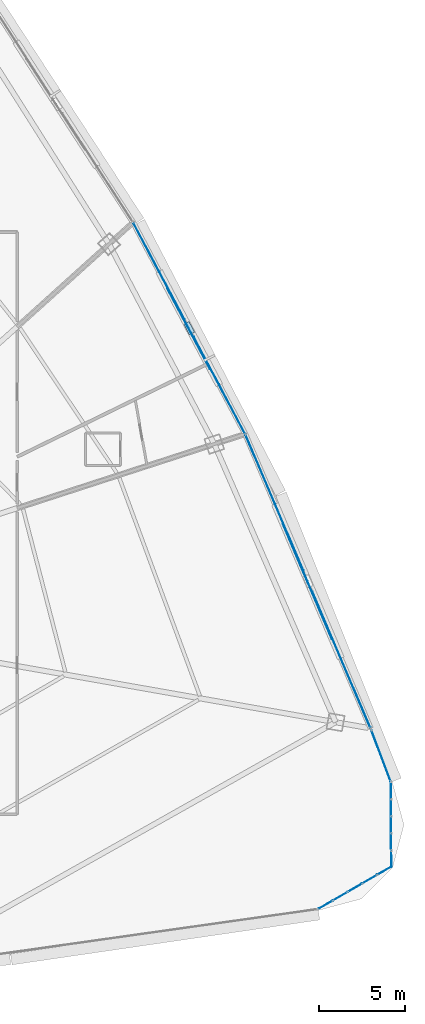
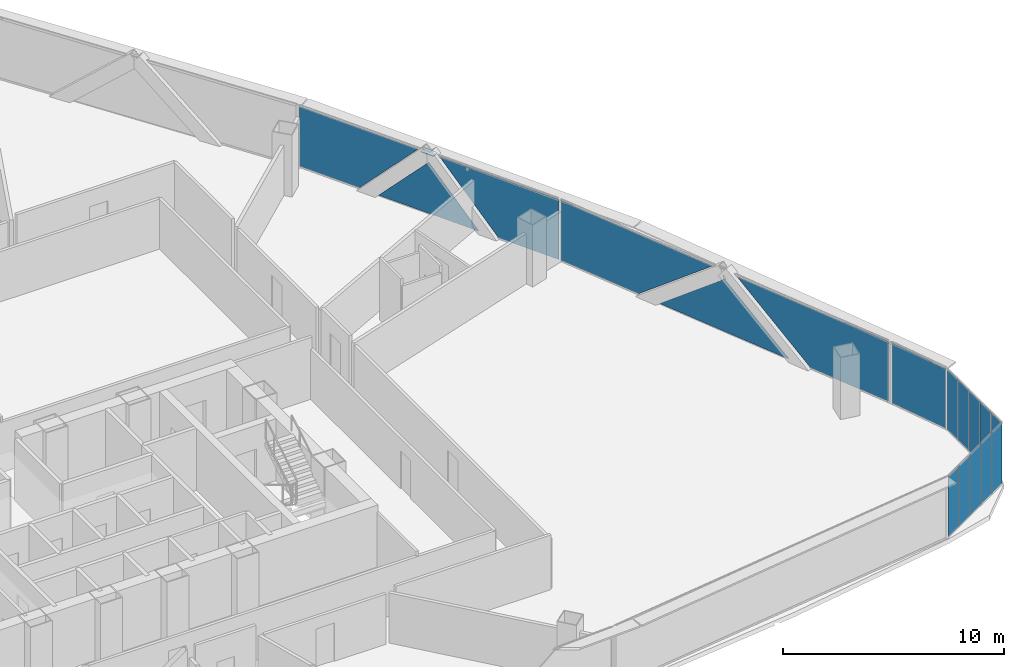
# One storey, part 33 of 42: 18 plates, 5 elements without a shape of their own.
"""IFC4 building model written with IfcOpenShell, lengths in metres."""

from ifc_helpers import new_model, si_unit, direction, frame, origin, origin_2d, place, context, subcontext, project, spatial, polyline, rectangle, outline, extrude, source, transform, mapped, material, layer, layer_set, type_object, element, aggregate, save


model = new_model("IFC4")

# Units and contexts
model_context = context("Model", 3, precision=1e-05, world=origin(), true_north=direction((0.0, 1.0)))
body_context = subcontext(model_context, "Body", "Model", "MODEL_VIEW")
ifc_project = project(units=[si_unit("LENGTHUNIT", "METRE"), si_unit("AREAUNIT", "SQUARE_METRE"), si_unit("VOLUMEUNIT", "CUBIC_METRE"), si_unit("PLANEANGLEUNIT", "RADIAN"), si_unit("MASSUNIT", "GRAM", prefix="KILO"), si_unit("THERMODYNAMICTEMPERATUREUNIT", "KELVIN"), si_unit("POWERUNIT", "WATT")], contexts=[model_context])

# Site, building, storey
site_placement = place(None, origin())
site = spatial("IfcSite", under=ifc_project, at=site_placement, CompositionType="ELEMENT")
building_placement = place(site_placement, origin())
building = spatial("IfcBuilding", under=site, at=building_placement, Name="Yunzhuo Pagoda Commons", CompositionType="ELEMENT")
storey_placement = place(building_placement, frame((0.0, 0.0, 133.510009765625)))
storey = spatial("IfcBuildingStorey", under=building, at=storey_placement, Name="L33", CompositionType="ELEMENT", Elevation=133.510009765625)

# Curtain wall, plates
ifc_material_1 = material(Name="Anodized aluminium 6063-T6", Category="aluminium")
ifc_layer_1 = layer(ifc_material_1, 0.14990234375)
ifc_layer_set_1 = layer_set([ifc_layer_1], Name="Anodized aluminium 6063-T6")
curtain_wall_type_1 = type_object("IfcCurtainWallType", Name="CW-MID Mid-Zone Ribbon Curtain Wall", PredefinedType="NOTDEFINED", material=ifc_layer_set_1)
curtain_wall_1_placement = place(storey_placement, origin())
curtain_wall_1 = element("IfcCurtainWall", 1, at=curtain_wall_1_placement, inside=storey, type_object=curtain_wall_type_1, Name="L33 curtain wall CW-L33-F2B2", PredefinedType="NOTDEFINED")
ifc_material_2 = material(Name="Tempered low-e double glazing", Category="glass")
ifc_layer_2 = layer(ifc_material_2, 0.028076171875)
ifc_layer_set_2 = layer_set([ifc_layer_2], Name="Tempered low-e double glazing")
plate_type_1 = type_object("IfcPlateType", Name="CW-MID-P Low-E Double Glazing 28", PredefinedType="CURTAIN_PANEL", material=ifc_layer_set_2)
plate_1_placement = place(storey_placement, frame((85.325439453125, 30.820068359375, 1.7099609375), z_axis=(0.919928137274, 0.392087008522, 0.0), x_axis=(-0.392087008522, 0.919928137274, 0.0)))
plate_1 = element("IfcPlate", 2, at=plate_1_placement, type_object=plate_type_1, Name="CW panel 1.1 lite 1", PredefinedType="CURTAIN_PANEL", context=body_context, shape_type="SweptSolid", body=[
    extrude(outline(polyline([(-4.300048828125, -1.655029296875), (0.097900390625, -1.655029296875), (4.300048828125, 1.655029296875), (-4.300048828125, 1.655029296875), (-4.300048828125, -1.655029296875)])), origin(), (0.0, 0.0, 1.0), 0.028076171875),
])
plate_2_placement = place(storey_placement, frame((83.34375, 35.393310546875, 1.49560546875), z_axis=(0.919928137274, 0.392087008522, 0.0), x_axis=(-0.392087008522, 0.919928137274, 0.0)))
plate_2 = element("IfcPlate", 3, at=plate_2_placement, type_object=plate_type_1, Name="CW panel 1.1 lite 2", PredefinedType="CURTAIN_PANEL", context=body_context, shape_type="SweptSolid", body=[
    extrude(outline(polyline([(-3.657958984375, -1.440673828125), (3.657958984375, -1.440673828125), (0.0, 1.440673828125), (-3.657958984375, -1.440673828125)])), origin(), (0.0, 0.0, 1.0), 0.028076171875),
])
plate_3_placement = place(storey_placement, frame((81.4169921875, 39.989990234375, 1.7099609375), z_axis=(0.919928137274, 0.392087008522, 0.0), x_axis=(-0.392087008522, 0.919928137274, 0.0)))
plate_3 = element("IfcPlate", 4, at=plate_3_placement, type_object=plate_type_1, Name="CW panel 1.1 lite 3", PredefinedType="CURTAIN_PANEL", context=body_context, shape_type="SweptSolid", body=[
    extrude(outline(polyline([(-4.300048828125, 1.655029296875), (-0.097900390625, -1.655029296875), (4.300048828125, -1.655029296875), (4.300048828125, 1.655029296875), (-4.300048828125, 1.655029296875)])), origin(), (0.0, 0.0, 1.0), 0.028076171875),
])
aggregate(curtain_wall_1, [plate_1, plate_2, plate_3])

curtain_wall_2_placement = place(storey_placement, origin())
curtain_wall_2 = element("IfcCurtainWall", 5, at=curtain_wall_2_placement, inside=storey, type_object=curtain_wall_type_1, Name="L33 curtain wall CW-L33-F2B3", PredefinedType="NOTDEFINED")
plate_4_placement = place(storey_placement, frame((78.192138671875, 46.86181640625, 1.7099609375), z_axis=(0.883694161172, 0.468064770635, 0.0), x_axis=(-0.468064770635, 0.883694161172, 0.0)))
plate_4 = element("IfcPlate", 6, at=plate_4_placement, type_object=plate_type_1, Name="CW panel 1.1 lite 1", PredefinedType="CURTAIN_PANEL", context=body_context, shape_type="SweptSolid", body=[
    extrude(outline(polyline([(-3.178466796875, -1.655029296875), (0.033203125, -1.655029296875), (3.178466796875, 1.655029296875), (-3.178466796875, 1.655029296875), (-3.178466796875, -1.655029296875)])), origin(), (0.0, 0.0, 1.0), 0.028076171875),
])
plate_5_placement = place(storey_placement, frame((76.408203125, 50.166015625, 1.461669921875), z_axis=(0.883694161172, 0.468064770635, 0.0), x_axis=(-0.468064770635, 0.883694161172, 0.0)))
plate_5 = element("IfcPlate", 7, at=plate_5_placement, type_object=plate_type_1, Name="CW panel 1.1 lite 2", PredefinedType="CURTAIN_PANEL", context=body_context, shape_type="SweptSolid", body=[
    extrude(outline(polyline([(-2.673095703125, -1.40673828125), (2.673095703125, -1.40673828125), (0.0, 1.406494140625), (-2.673095703125, -1.40673828125)])), origin(), (0.0, 0.0, 1.0), 0.028076171875),
])
plate_6_placement = place(storey_placement, frame((74.67724609375, 53.498291015625, 1.7099609375), z_axis=(0.883694161172, 0.468064770635, 0.0), x_axis=(-0.468064770635, 0.883694161172, 0.0)))
plate_6 = element("IfcPlate", 8, at=plate_6_placement, type_object=plate_type_1, Name="CW panel 1.1 lite 3", PredefinedType="CURTAIN_PANEL", context=body_context, shape_type="SweptSolid", body=[
    extrude(outline(polyline([(-3.178466796875, 1.655029296875), (-0.033203125, -1.655029296875), (3.178466796875, -1.655029296875), (3.178466796875, 1.655029296875), (-3.178466796875, 1.655029296875)])), origin(), (0.0, 0.0, 1.0), 0.028076171875),
])
aggregate(curtain_wall_2, [plate_4, plate_5, plate_6])

# Plate
ifc_material_3 = material(Name="Structural steel Q355B", Category="steel")
ifc_layer_3 = layer(ifc_material_3, 0.028076171875)
ifc_layer_set_3 = layer_set([ifc_layer_3], Name="Structural steel Q355B")
plate_type_2 = type_object("IfcPlateType", Name="SP-ND1 Lattice Node Cap Plate 800x500x28", PredefinedType="USERDEFINED", material=ifc_layer_set_3)
shared_shape_1 = source(origin(), body_context, "Body", "SweptSolid", [
    extrude(rectangle(XDim=0.699951171875, YDim=0.35009765625, at=origin_2d()), origin(), (0.0, 0.0, 1.0), 0.035888671875),
])
plate_7_placement = place(storey_placement, frame((76.447021484375, 50.1865234375, 3.3818359375), z_axis=(0.0, 0.0, 1.0), x_axis=(-0.468068630068, 0.883692116943, 0.0)))
element("IfcPlate", 9, at=plate_7_placement, inside=storey, type_object=plate_type_2, Name="L33 setback lattice tie plate F2.2L", ObjectType="STIFFENER_PLATE", PredefinedType="USERDEFINED", context=body_context, shape_type="MappedRepresentation", body=[
    mapped(shared_shape_1, transform((0.0, 0.0, 0.0), scale=1.0)),
])

# Curtain wall, plate
curtain_wall_3_placement = place(storey_placement, origin())
curtain_wall_3 = element("IfcCurtainWall", 10, at=curtain_wall_3_placement, inside=storey, type_object=curtain_wall_type_1, Name="L33 curtain wall CW-L33-F2B1", PredefinedType="NOTDEFINED")
shared_shape_2 = source(origin(), body_context, "Body", "SweptSolid", [
    extrude(rectangle(XDim=3.15576171875, YDim=0.028076171875, at=origin_2d()), origin(), (0.0, 0.0, 1.0), 3.31005859375),
])
plate_8_placement = place(storey_placement, frame((87.65380859375, 25.212646484375, 0.054931640625), z_axis=(0.0, 0.0, 1.0), x_axis=(-0.353798274003, 0.935321752827, 0.0)))
plate_8 = element("IfcPlate", 11, at=plate_8_placement, type_object=plate_type_1, Name="CW panel 1.1", PredefinedType="CURTAIN_PANEL", context=body_context, shape_type="MappedRepresentation", body=[
    mapped(shared_shape_2, transform((0.0, 0.0, 0.0), scale=1.0)),
])
aggregate(curtain_wall_3, [plate_8])

# Curtain wall, plates
ifc_layer_4 = layer(ifc_material_1, 0.1298828125)
ifc_layer_set_4 = layer_set([ifc_layer_4], Name="Anodized aluminium 6063-T6")
curtain_wall_type_2 = type_object("IfcCurtainWallType", Name="CW-VTX Rounded Corner Curtain Wall", PredefinedType="NOTDEFINED", material=ifc_layer_set_4)
curtain_wall_4_placement = place(storey_placement, origin())
curtain_wall_4 = element("IfcCurtainWall", 12, at=curtain_wall_4_placement, inside=storey, type_object=curtain_wall_type_2, Name="L33 curtain wall CW-L33-VTX2S1", PredefinedType="NOTDEFINED")
ifc_layer_5 = layer(ifc_material_2, 0.02587890625)
ifc_layer_set_5 = layer_set([ifc_layer_5], Name="Tempered low-e double glazing")
plate_type_3 = type_object("IfcPlateType", Name="CW-VTX-P Low-E Double Glazing 26", PredefinedType="CURTAIN_PANEL", material=ifc_layer_set_5)
shared_shape_3 = source(origin(), body_context, "Body", "SweptSolid", [
    extrude(rectangle(XDim=0.915771484375, YDim=0.028076171875, at=origin_2d()), origin(), (0.0, 0.0, 1.0), 3.31005859375),
])
plate_9_placement = place(storey_placement, frame((84.415771484375, 16.515869140625, 0.054931640625), z_axis=(0.0, 0.0, 1.0), x_axis=(0.865425370946, 0.501037850191, 0.0)))
plate_9 = element("IfcPlate", 13, at=plate_9_placement, type_object=plate_type_3, Name="CW panel 1.1", PredefinedType="CURTAIN_PANEL", context=body_context, shape_type="MappedRepresentation", body=[
    mapped(shared_shape_3, transform((0.0, 0.0, 0.0), scale=1.0)),
])
plate_10_placement = place(storey_placement, frame((87.847412109375, 18.50244140625, 0.054931640625), z_axis=(0.0, 0.0, 1.0), x_axis=(0.865425370946, 0.501037850191, 0.0)))
plate_10 = element("IfcPlate", 14, at=plate_10_placement, type_object=plate_type_3, Name="CW panel 5.1", PredefinedType="CURTAIN_PANEL", context=body_context, shape_type="MappedRepresentation", body=[
    mapped(shared_shape_3, transform((0.0, 0.0, 0.0), scale=1.0)),
])

curtain_wall_5_placement = place(storey_placement, origin())
curtain_wall_5 = element("IfcCurtainWall", 15, at=curtain_wall_5_placement, inside=storey, type_object=curtain_wall_type_2, Name="L33 curtain wall CW-L33-VTX2S2", PredefinedType="NOTDEFINED")
plate_11_placement = place(storey_placement, frame((88.24951171875, 19.20263671875, 0.054931640625), z_axis=(0.0, 0.0, 1.0), x_axis=(-0.003586576275, 0.999993568215, 0.0)))
plate_11 = element("IfcPlate", 16, at=plate_11_placement, type_object=plate_type_3, Name="CW panel 1.1", PredefinedType="CURTAIN_PANEL", context=body_context, shape_type="MappedRepresentation", body=[
    mapped(shared_shape_3, transform((0.0, 0.0, 0.0), scale=1.0)),
])
plate_12_placement = place(storey_placement, frame((88.2353515625, 23.16796875, 0.054931640625), z_axis=(0.0, 0.0, 1.0), x_axis=(-0.003586576275, 0.999993568215, 0.0)))
plate_12 = element("IfcPlate", 17, at=plate_12_placement, type_object=plate_type_3, Name="CW panel 5.1", PredefinedType="CURTAIN_PANEL", context=body_context, shape_type="MappedRepresentation", body=[
    mapped(shared_shape_3, transform((0.0, 0.0, 0.0), scale=1.0)),
])

# Plate
shared_shape_4 = source(origin(), body_context, "Body", "SweptSolid", [
    extrude(rectangle(XDim=0.943115234375, YDim=0.028076171875, at=origin_2d()), origin(), (0.0, 0.0, 1.0), 3.31005859375),
])
plate_13_placement = place(storey_placement, frame((85.267822265625, 17.009033203125, 0.054931640625), z_axis=(0.0, 0.0, 1.0), x_axis=(0.865425370946, 0.501037850191, 0.0)))
plate_13 = element("IfcPlate", 18, at=plate_13_placement, type_object=plate_type_3, Name="CW panel 2.1", PredefinedType="CURTAIN_PANEL", context=body_context, shape_type="MappedRepresentation", body=[
    mapped(shared_shape_4, transform((0.0, 0.0, 0.0), scale=1.0)),
])

plate_14_placement = place(storey_placement, frame((86.131591796875, 17.509033203125, 0.054931640625), z_axis=(0.0, 0.0, 1.0), x_axis=(0.865425370946, 0.501037850191, 0.0)))
plate_14 = element("IfcPlate", 19, at=plate_14_placement, type_object=plate_type_3, Name="CW panel 3.1", PredefinedType="CURTAIN_PANEL", context=body_context, shape_type="MappedRepresentation", body=[
    mapped(shared_shape_4, transform((0.0, 0.0, 0.0), scale=1.0)),
])

plate_15_placement = place(storey_placement, frame((86.995361328125, 18.00927734375, 0.054931640625), z_axis=(0.0, 0.0, 1.0), x_axis=(0.865425370946, 0.501037850191, 0.0)))
plate_15 = element("IfcPlate", 20, at=plate_15_placement, type_object=plate_type_3, Name="CW panel 4.1", PredefinedType="CURTAIN_PANEL", context=body_context, shape_type="MappedRepresentation", body=[
    mapped(shared_shape_4, transform((0.0, 0.0, 0.0), scale=1.0)),
])

aggregate(curtain_wall_4, [plate_9, plate_13, plate_14, plate_15, plate_10])

plate_16_placement = place(storey_placement, frame((88.245849609375, 20.187255859375, 0.054931640625), z_axis=(0.0, 0.0, 1.0), x_axis=(-0.003586576275, 0.999993568215, 0.0)))
plate_16 = element("IfcPlate", 21, at=plate_16_placement, type_object=plate_type_3, Name="CW panel 2.1", PredefinedType="CURTAIN_PANEL", context=body_context, shape_type="MappedRepresentation", body=[
    mapped(shared_shape_4, transform((0.0, 0.0, 0.0), scale=1.0)),
])

plate_17_placement = place(storey_placement, frame((88.242431640625, 21.185302734375, 0.054931640625), z_axis=(0.0, 0.0, 1.0), x_axis=(-0.003586576275, 0.999993568215, 0.0)))
plate_17 = element("IfcPlate", 22, at=plate_17_placement, type_object=plate_type_3, Name="CW panel 3.1", PredefinedType="CURTAIN_PANEL", context=body_context, shape_type="MappedRepresentation", body=[
    mapped(shared_shape_4, transform((0.0, 0.0, 0.0), scale=1.0)),
])

plate_18_placement = place(storey_placement, frame((88.23876953125, 22.183349609375, 0.054931640625), z_axis=(0.0, 0.0, 1.0), x_axis=(-0.003586576275, 0.999993568215, 0.0)))
plate_18 = element("IfcPlate", 23, at=plate_18_placement, type_object=plate_type_3, Name="CW panel 4.1", PredefinedType="CURTAIN_PANEL", context=body_context, shape_type="MappedRepresentation", body=[
    mapped(shared_shape_4, transform((0.0, 0.0, 0.0), scale=1.0)),
])

aggregate(curtain_wall_5, [plate_11, plate_16, plate_17, plate_18, plate_12])

save(model, "model.ifc")
